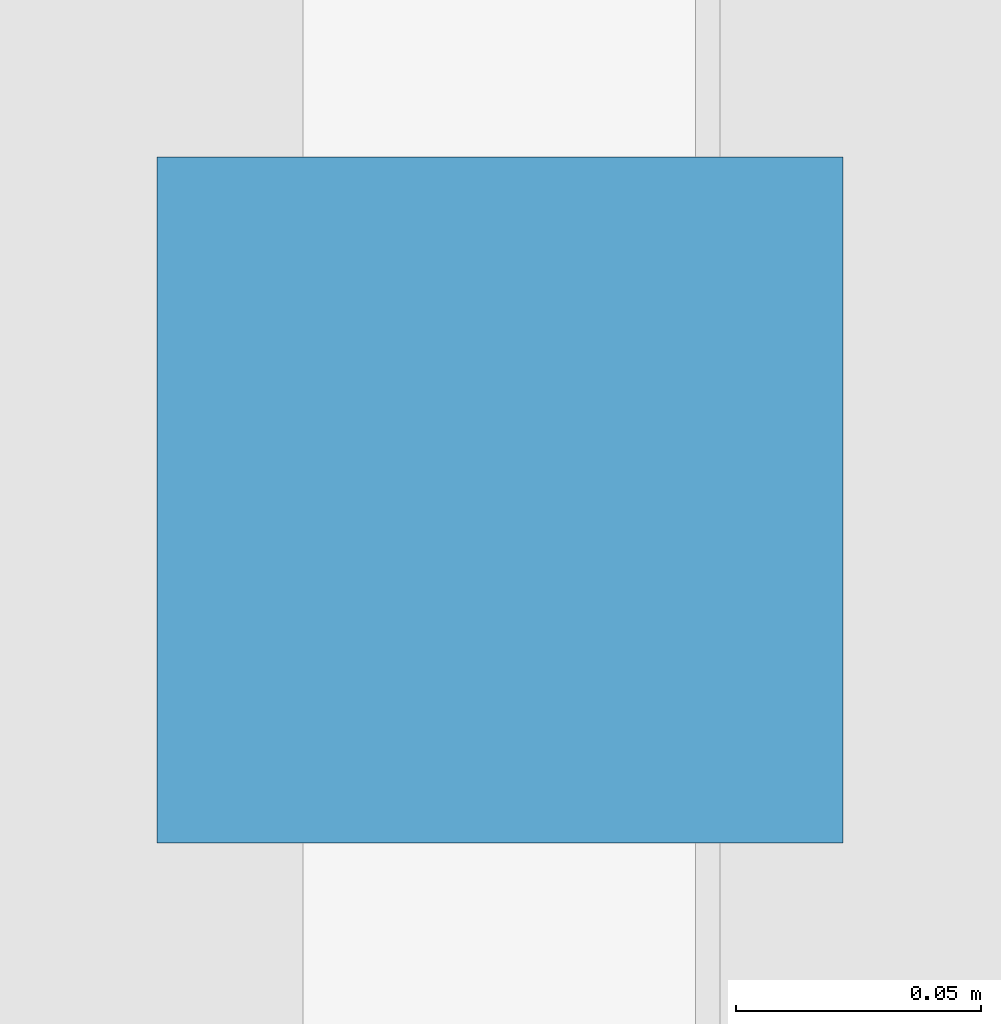
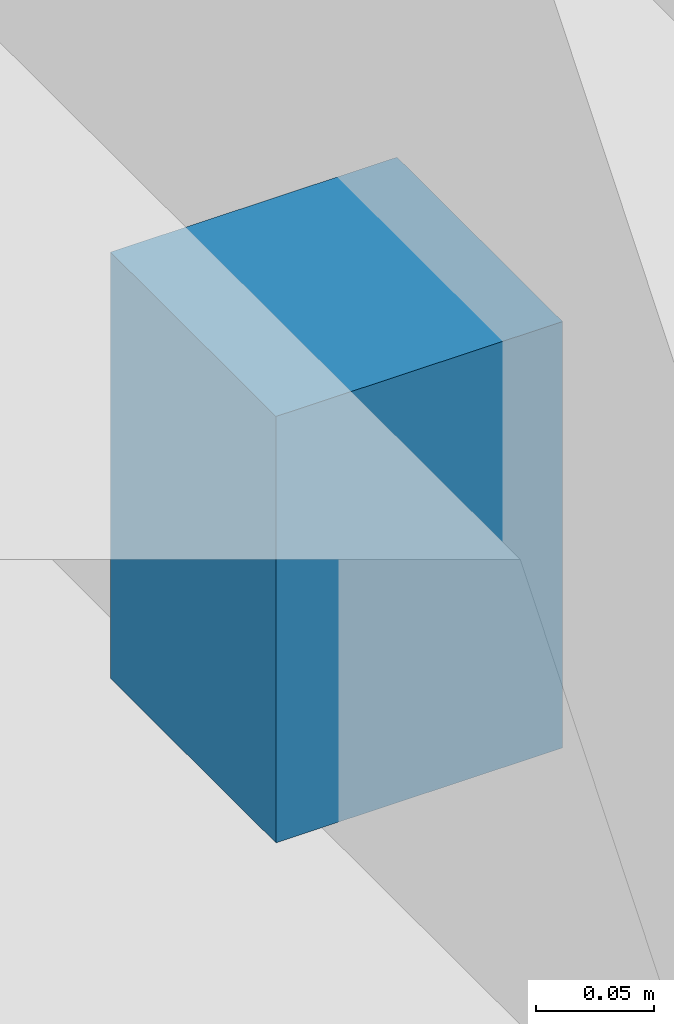
# One storey, part 26 of 37: 1 discrete accessory.
"""IFC4 building model written with IfcOpenShell, lengths in metres."""

from ifc_helpers import new_model, si_unit, direction, frame, origin, origin_2d, place, context, subcontext, project, spatial, rectangle, extrude, material, type_object, element, save


model = new_model("IFC4")

# Units and contexts
model_context = context("Model", 3, precision=1e-05, world=origin(), true_north=direction((0.0, 1.0)))
body_context = subcontext(model_context, "Body", "Model", "MODEL_VIEW")
ifc_project = project(units=[si_unit("LENGTHUNIT", "METRE"), si_unit("AREAUNIT", "SQUARE_METRE"), si_unit("VOLUMEUNIT", "CUBIC_METRE"), si_unit("PLANEANGLEUNIT", "RADIAN"), si_unit("MASSUNIT", "GRAM", prefix="KILO")], contexts=[model_context])

# Site, building, storey
site_placement = place(None, origin())
site = spatial("IfcSite", under=ifc_project, at=site_placement, CompositionType="ELEMENT")
building_placement = place(site_placement, origin())
building = spatial("IfcBuilding", under=site, at=building_placement, Name="Cendaluz Park School", CompositionType="ELEMENT")
storey_placement = place(building_placement, origin())
storey = spatial("IfcBuildingStorey", under=building, at=storey_placement, Name="L00", CompositionType="ELEMENT", Elevation=0.0)

# Discrete accessory
ifc_material = material(Name="Steel S355", Category="steel")
discrete_accessory_type = type_object("IfcDiscreteAccessoryType", Name="BK-01", PredefinedType="BRACKET", material=ifc_material)
discrete_accessory_placement = place(storey_placement, frame((64.580078125, 60.511962890625, 2.580078125), z_axis=(0.0, 0.0, 1.0), x_axis=(0.0, 1.0, 0.0)))
element("IfcDiscreteAccessory", 1, at=discrete_accessory_placement, inside=storey, type_object=discrete_accessory_type, Name="BK-L00-035", PredefinedType="BRACKET", context=body_context, shape_type="SweptSolid", body=[
    extrude(rectangle(XDim=0.139892578125, YDim=0.139892578125, at=origin_2d()), origin(), (0.0, 0.0, 1.0), 0.219970703125),
])

save(model, "model.ifc")
